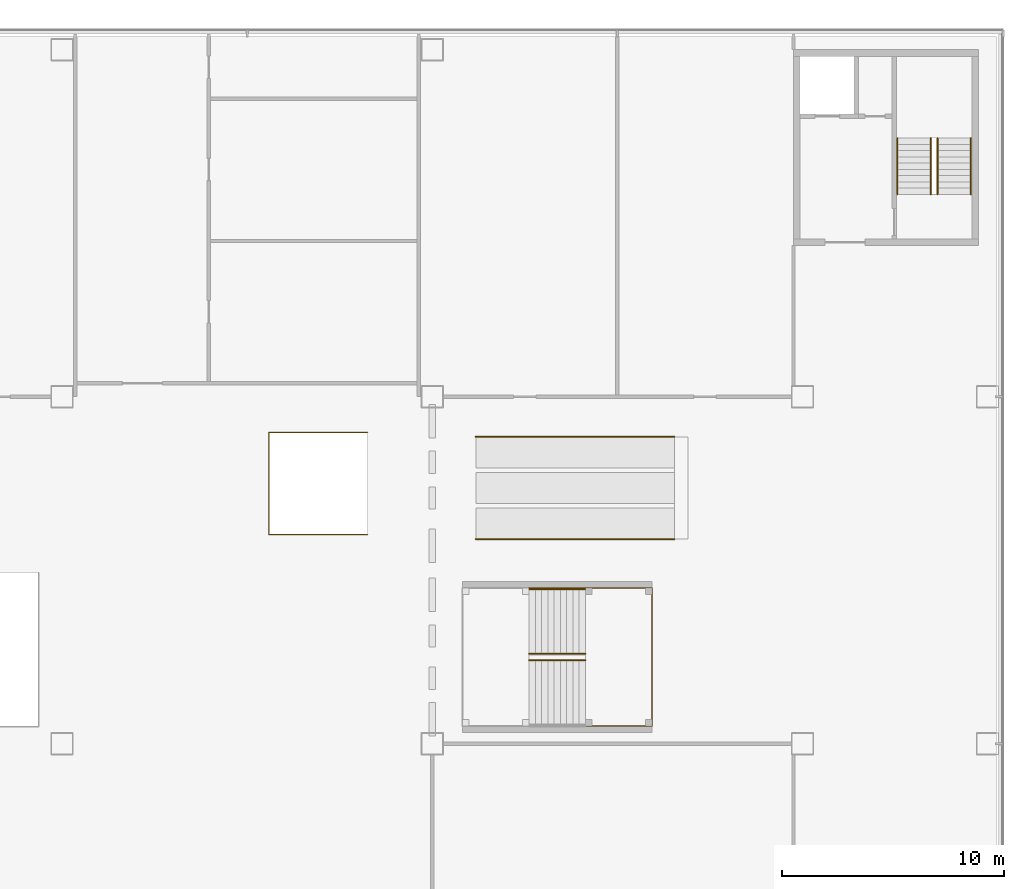
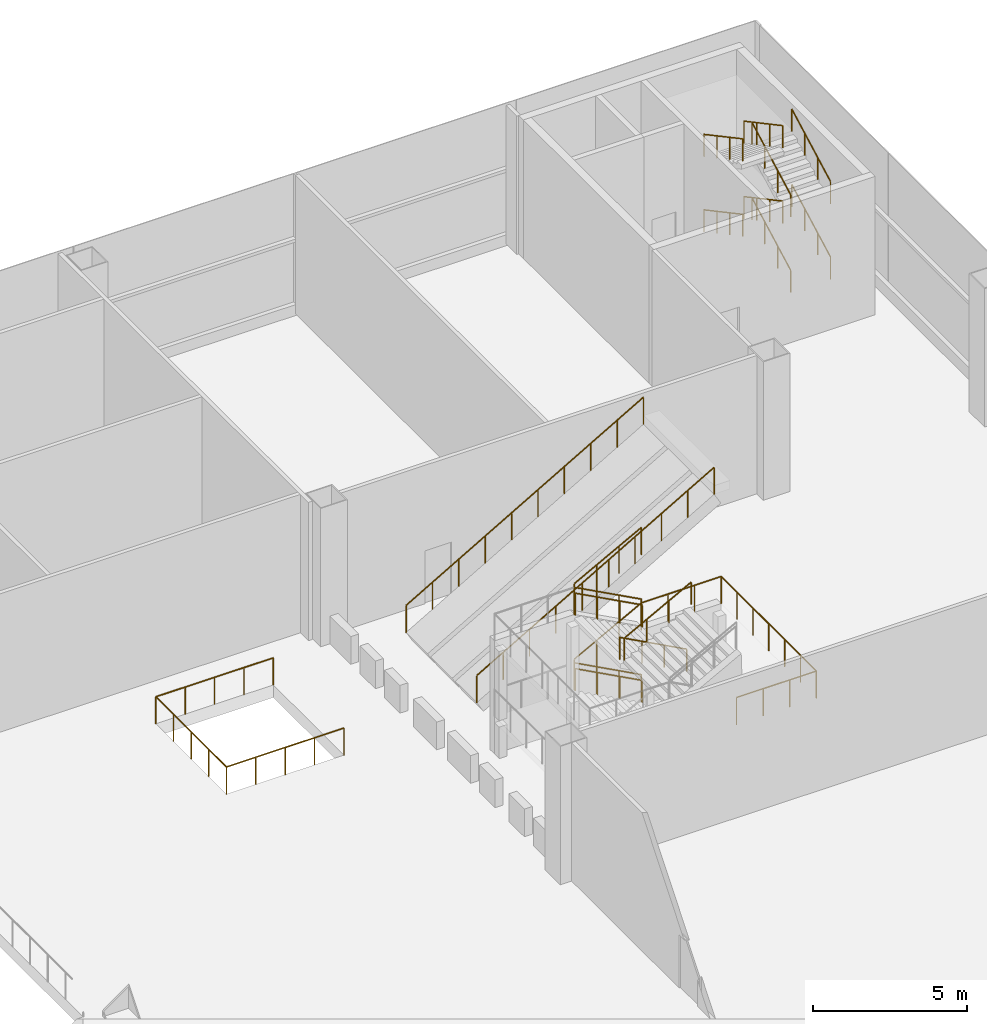
# One storey, part 91 of 100: 20 railings.
"""IFC4 building model written with IfcOpenShell, lengths in metres."""

from ifc_helpers import new_model, si_unit, direction, frame, origin, origin_2d, place, context, subcontext, project, spatial, circle, extrude, material, type_object, element, save


model = new_model("IFC4")

# Units and contexts
model_context = context("Model", 3, precision=1e-05, world=origin(), true_north=direction((0.0, 1.0)))
body_context = subcontext(model_context, "Body", "Model", "MODEL_VIEW")
ifc_project = project(units=[si_unit("LENGTHUNIT", "METRE"), si_unit("AREAUNIT", "SQUARE_METRE"), si_unit("VOLUMEUNIT", "CUBIC_METRE"), si_unit("PLANEANGLEUNIT", "RADIAN"), si_unit("MASSUNIT", "GRAM", prefix="KILO")], contexts=[model_context])

# Site, building, storey
site_placement = place(None, origin())
site = spatial("IfcSite", under=ifc_project, at=site_placement, CompositionType="ELEMENT")
building_placement = place(site_placement, origin())
building = spatial("IfcBuilding", under=site, at=building_placement, Name="Hakoniwa Tower and Hamabe Station Hall", CompositionType="ELEMENT")
storey_placement = place(building_placement, frame((0.0, 0.0, 9.0)))
storey = spatial("IfcBuildingStorey", under=building, at=storey_placement, Name="L02", CompositionType="ELEMENT", Elevation=9.0)

# Railings
ifc_material_1 = material(Name="Stainless steel and glass", Category="steel")
railing_type_1 = type_object("IfcRailingType", Name="GUARD 1100", PredefinedType="GUARDRAIL", material=ifc_material_1)
railing_1_placement = place(storey_placement, frame((151.070068359375, -0.800048828125, 0.14990234375)))
element("IfcRailing", 1, at=railing_1_placement, inside=storey, type_object=railing_type_1, Name="Stair guard PA1 1", PredefinedType="GUARDRAIL", context=body_context, shape_type="SweptSolid", body=[
    extrude(circle(Radius=0.02392578125, at=origin_2d()), frame((0.0, 0.0, 1.076171875), z_axis=(-0.881467274426, 0.0, 0.472245110209), x_axis=(0.0, -1.0, 0.0)), (0.0, 0.0, 1.0), 2.85888671875),
    extrude(circle(Radius=0.02099609375, at=origin_2d()), origin(), (0.0, 0.0, 1.0), 1.052001953125),
    extrude(circle(Radius=0.02099609375, at=origin_2d()), frame((-0.840087890625, 0.0, 0.449951171875)), (0.0, 0.0, 1.0), 1.052001953125),
    extrude(circle(Radius=0.02099609375, at=origin_2d()), frame((-1.679931640625, 0.0, 0.900146484375)), (0.0, 0.0, 1.0), 1.052001953125),
    extrude(circle(Radius=0.02099609375, at=origin_2d()), frame((-2.52001953125, 0.0, 1.35009765625)), (0.0, 0.0, 1.0), 1.052001953125),
])
railing_2_placement = place(storey_placement, frame((148.550048828125, -0.800048828125, 1.64990234375)))
element("IfcRailing", 2, at=railing_2_placement, inside=storey, type_object=railing_type_1, Name="Stair guard PA1 3", PredefinedType="GUARDRAIL", context=body_context, shape_type="SweptSolid", body=[
    extrude(circle(Radius=0.02392578125, at=origin_2d()), frame((0.0, 0.0, 1.076171875), z_axis=(0.881467274426, 0.0, 0.472245110209), x_axis=(0.0, 1.0, 0.0)), (0.0, 0.0, 1.0), 2.85888671875),
    extrude(circle(Radius=0.02099609375, at=origin_2d()), origin(), (0.0, 0.0, 1.0), 1.052001953125),
    extrude(circle(Radius=0.02099609375, at=origin_2d()), frame((0.840087890625, 0.0, 0.449951171875)), (0.0, 0.0, 1.0), 1.052001953125),
    extrude(circle(Radius=0.02099609375, at=origin_2d()), frame((1.679931640625, 0.0, 0.900146484375)), (0.0, 0.0, 1.0), 1.052001953125),
    extrude(circle(Radius=0.02099609375, at=origin_2d()), frame((2.52001953125, 0.0, 1.35009765625)), (0.0, 0.0, 1.0), 1.052001953125),
])
railing_3_placement = place(storey_placement, frame((151.070068359375, -0.800048828125, 3.14990234375)))
element("IfcRailing", 3, at=railing_3_placement, inside=storey, type_object=railing_type_1, Name="Stair guard PA1 5", PredefinedType="GUARDRAIL", context=body_context, shape_type="SweptSolid", body=[
    extrude(circle(Radius=0.02392578125, at=origin_2d()), frame((0.0, 0.0, 1.076171875), z_axis=(-0.881467274426, 0.0, 0.472245110209), x_axis=(0.0, -1.0, 0.0)), (0.0, 0.0, 1.0), 2.85888671875),
    extrude(circle(Radius=0.02099609375, at=origin_2d()), origin(), (0.0, 0.0, 1.0), 1.052001953125),
    extrude(circle(Radius=0.02099609375, at=origin_2d()), frame((-0.840087890625, 0.0, 0.449951171875)), (0.0, 0.0, 1.0), 1.052001953125),
    extrude(circle(Radius=0.02099609375, at=origin_2d()), frame((-1.679931640625, 0.0, 0.900146484375)), (0.0, 0.0, 1.0), 1.052001953125),
    extrude(circle(Radius=0.02099609375, at=origin_2d()), frame((-2.52001953125, 0.0, 1.35009765625)), (0.0, 0.0, 1.0), 1.052001953125),
])
railing_4_placement = place(storey_placement, frame((148.550048828125, -0.800048828125, 4.64990234375)))
element("IfcRailing", 4, at=railing_4_placement, inside=storey, type_object=railing_type_1, Name="Stair guard PA1 7", PredefinedType="GUARDRAIL", context=body_context, shape_type="SweptSolid", body=[
    extrude(circle(Radius=0.02392578125, at=origin_2d()), frame((0.0, 0.0, 1.076171875), z_axis=(0.881467274426, 0.0, 0.472245110209), x_axis=(0.0, 1.0, 0.0)), (0.0, 0.0, 1.0), 2.85888671875),
    extrude(circle(Radius=0.02099609375, at=origin_2d()), origin(), (0.0, 0.0, 1.0), 1.052001953125),
    extrude(circle(Radius=0.02099609375, at=origin_2d()), frame((0.840087890625, 0.0, 0.449951171875)), (0.0, 0.0, 1.0), 1.052001953125),
    extrude(circle(Radius=0.02099609375, at=origin_2d()), frame((1.679931640625, 0.0, 0.900146484375)), (0.0, 0.0, 1.0), 1.052001953125),
    extrude(circle(Radius=0.02099609375, at=origin_2d()), frame((2.52001953125, 0.0, 1.35009765625)), (0.0, 0.0, 1.0), 1.052001953125),
])
railing_5_placement = place(storey_placement, frame((151.070068359375, -0.800048828125, 3.0)))
element("IfcRailing", 5, at=railing_5_placement, inside=storey, type_object=railing_type_1, Name="Landing guard PA1 2", PredefinedType="GUARDRAIL", context=body_context, shape_type="SweptSolid", body=[
    extrude(circle(Radius=0.02392578125, at=origin_2d()), frame((0.0, 0.0, 1.076171875), z_axis=(1.0, 0.0, 0.0), x_axis=(0.0, 1.0, 0.0)), (0.0, 0.0, 1.0), 3.0),
    extrude(circle(Radius=0.02392578125, at=origin_2d()), frame((3.0, 0.0, 1.076171875), z_axis=(0.0, -1.0, 0.0), x_axis=(1.0, 0.0, 0.0)), (0.0, 0.0, 1.0), 6.199951171875),
    extrude(circle(Radius=0.02392578125, at=origin_2d()), frame((3.0, -6.199951171875, 1.076171875), z_axis=(-1.0, 0.0, 0.0), x_axis=(0.0, -1.0, 0.0)), (0.0, 0.0, 1.0), 3.0),
    extrude(circle(Radius=0.02099609375, at=origin_2d()), origin(), (0.0, 0.0, 1.0), 1.052001953125),
    extrude(circle(Radius=0.02099609375, at=origin_2d()), frame((1.0, 0.0, 0.0)), (0.0, 0.0, 1.0), 1.052001953125),
    extrude(circle(Radius=0.02099609375, at=origin_2d()), frame((2.0, 0.0, 0.0)), (0.0, 0.0, 1.0), 1.052001953125),
    extrude(circle(Radius=0.02099609375, at=origin_2d()), frame((3.0, 0.0, 0.0)), (0.0, 0.0, 1.0), 1.052001953125),
    extrude(circle(Radius=0.02099609375, at=origin_2d()), frame((3.0, -1.033203125, 0.0)), (0.0, 0.0, 1.0), 1.052001953125),
    extrude(circle(Radius=0.02099609375, at=origin_2d()), frame((3.0, -2.066650390625, 0.0)), (0.0, 0.0, 1.0), 1.052001953125),
    extrude(circle(Radius=0.02099609375, at=origin_2d()), frame((3.0, -3.10009765625, 0.0)), (0.0, 0.0, 1.0), 1.052001953125),
    extrude(circle(Radius=0.02099609375, at=origin_2d()), frame((3.0, -4.13330078125, 0.0)), (0.0, 0.0, 1.0), 1.052001953125),
    extrude(circle(Radius=0.02099609375, at=origin_2d()), frame((3.0, -5.16650390625, 0.0)), (0.0, 0.0, 1.0), 1.052001953125),
    extrude(circle(Radius=0.02099609375, at=origin_2d()), frame((3.0, -6.199951171875, 0.0)), (0.0, 0.0, 1.0), 1.052001953125),
    extrude(circle(Radius=0.02099609375, at=origin_2d()), frame((2.0, -6.199951171875, 0.0)), (0.0, 0.0, 1.0), 1.052001953125),
    extrude(circle(Radius=0.02099609375, at=origin_2d()), frame((1.0, -6.199951171875, 0.0)), (0.0, 0.0, 1.0), 1.052001953125),
    extrude(circle(Radius=0.02099609375, at=origin_2d()), frame((0.0, -6.199951171875, 0.0)), (0.0, 0.0, 1.0), 1.052001953125),
])
railing_6_placement = place(storey_placement, frame((141.2724609375, 1.60009765625, 0.0)))
element("IfcRailing", 6, at=railing_6_placement, inside=storey, type_object=railing_type_1, Name="Guard escalator opening ESC-A L02", PredefinedType="GUARDRAIL", context=body_context, shape_type="SweptSolid", body=[
    extrude(circle(Radius=0.02392578125, at=origin_2d()), frame((0.0, 0.0, 1.076171875), z_axis=(-1.0, 0.0, 0.0), x_axis=(0.0, -1.0, 0.0)), (0.0, 0.0, 1.0), 4.416748046875),
    extrude(circle(Radius=0.02392578125, at=origin_2d()), frame((-4.416748046875, 0.0, 1.076171875), z_axis=(0.0, 1.0, 0.0), x_axis=(-1.0, 0.0, 0.0)), (0.0, 0.0, 1.0), 4.599853515625),
    extrude(circle(Radius=0.02392578125, at=origin_2d()), frame((-4.416748046875, 4.599853515625, 1.076171875), z_axis=(1.0, 0.0, 0.0), x_axis=(0.0, 1.0, 0.0)), (0.0, 0.0, 1.0), 4.416748046875),
    extrude(circle(Radius=0.02099609375, at=origin_2d()), origin(), (0.0, 0.0, 1.0), 1.052001953125),
    extrude(circle(Radius=0.02099609375, at=origin_2d()), frame((-1.104248046875, 0.0, 0.0)), (0.0, 0.0, 1.0), 1.052001953125),
    extrude(circle(Radius=0.02099609375, at=origin_2d()), frame((-2.20849609375, 0.0, 0.0)), (0.0, 0.0, 1.0), 1.052001953125),
    extrude(circle(Radius=0.02099609375, at=origin_2d()), frame((-3.3125, 0.0, 0.0)), (0.0, 0.0, 1.0), 1.052001953125),
    extrude(circle(Radius=0.02099609375, at=origin_2d()), frame((-4.416748046875, 0.0, 0.0)), (0.0, 0.0, 1.0), 1.052001953125),
    extrude(circle(Radius=0.02099609375, at=origin_2d()), frame((-4.416748046875, 1.14990234375, 0.0)), (0.0, 0.0, 1.0), 1.052001953125),
    extrude(circle(Radius=0.02099609375, at=origin_2d()), frame((-4.416748046875, 2.2998046875, 0.0)), (0.0, 0.0, 1.0), 1.052001953125),
    extrude(circle(Radius=0.02099609375, at=origin_2d()), frame((-4.416748046875, 3.449951171875, 0.0)), (0.0, 0.0, 1.0), 1.052001953125),
    extrude(circle(Radius=0.02099609375, at=origin_2d()), frame((-4.416748046875, 4.599853515625, 0.0)), (0.0, 0.0, 1.0), 1.052001953125),
    extrude(circle(Radius=0.02099609375, at=origin_2d()), frame((-3.3125, 4.599853515625, 0.0)), (0.0, 0.0, 1.0), 1.052001953125),
    extrude(circle(Radius=0.02099609375, at=origin_2d()), frame((-2.20849609375, 4.599853515625, 0.0)), (0.0, 0.0, 1.0), 1.052001953125),
    extrude(circle(Radius=0.02099609375, at=origin_2d()), frame((-1.104248046875, 4.599853515625, 0.0)), (0.0, 0.0, 1.0), 1.052001953125),
    extrude(circle(Radius=0.02099609375, at=origin_2d()), frame((0.0, 4.599853515625, 0.0)), (0.0, 0.0, 1.0), 1.052001953125),
])
for number, where, name in (
    (7, (146.14990234375, 1.39990234375, 0.5), "Balustrade ESC-B w"),
    (8, (146.14990234375, 6.0, 0.5), "Balustrade ESC-B e"),
):
    element("IfcRailing", number, at=place(storey_placement, frame(where)), inside=storey, type_object=railing_type_1, Name=name, PredefinedType="GUARDRAIL", context=body_context, shape_type="SweptSolid", body=[
        extrude(circle(Radius=0.02392578125, at=origin_2d()), frame((0.0, 0.0, 1.076171875), z_axis=(0.866026229868, 0.0, 0.499998569178), x_axis=(0.0, 1.0, 0.0)), (0.0, 0.0, 1.0), 10.30712890625),
        extrude(circle(Radius=0.02099609375, at=origin_2d()), origin(), (0.0, 0.0, 1.0), 1.052001953125),
        extrude(circle(Radius=0.02099609375, at=origin_2d()), frame((0.99169921875, 0.0, 0.572509765625)), (0.0, 0.0, 1.0), 1.052001953125),
        extrude(circle(Radius=0.02099609375, at=origin_2d()), frame((1.983642578125, 0.0, 1.145263671875)), (0.0, 0.0, 1.0), 1.052001953125),
        extrude(circle(Radius=0.02099609375, at=origin_2d()), frame((2.975341796875, 0.0, 1.7177734375)), (0.0, 0.0, 1.0), 1.052001953125),
        extrude(circle(Radius=0.02099609375, at=origin_2d()), frame((3.96728515625, 0.0, 2.29052734375)), (0.0, 0.0, 1.0), 1.052001953125),
        extrude(circle(Radius=0.02099609375, at=origin_2d()), frame((4.958984375, 0.0, 2.863037109375)), (0.0, 0.0, 1.0), 1.052001953125),
        extrude(circle(Radius=0.02099609375, at=origin_2d()), frame((5.950927734375, 0.0, 3.435791015625)), (0.0, 0.0, 1.0), 1.052001953125),
        extrude(circle(Radius=0.02099609375, at=origin_2d()), frame((6.942626953125, 0.0, 4.00830078125)), (0.0, 0.0, 1.0), 1.052001953125),
        extrude(circle(Radius=0.02099609375, at=origin_2d()), frame((7.9345703125, 0.0, 4.5810546875)), (0.0, 0.0, 1.0), 1.052001953125),
        extrude(circle(Radius=0.02099609375, at=origin_2d()), frame((8.92626953125, 0.0, 5.153564453125)), (0.0, 0.0, 1.0), 1.052001953125),
    ])
ifc_material_2 = material(Name="Stainless steel SUS304", Category="steel")
railing_type_2 = type_object("IfcRailingType", Name="HANDRAIL 900", PredefinedType="HANDRAIL", material=ifc_material_2)
for number, where, name in (
    (9, (168.39990234375, 16.89990234375, 0.14990234375), "Handrail SS2 1"),
    (10, (166.89990234375, 16.89990234375, 0.14990234375), "Handrail SS2 2"),
):
    element("IfcRailing", number, at=place(storey_placement, frame(where)), inside=storey, type_object=railing_type_2, Name=name, PredefinedType="HANDRAIL", context=body_context, shape_type="SweptSolid", body=[
        extrude(circle(Radius=0.02392578125, at=origin_2d()), frame((0.0, 0.0, 0.8759765625), z_axis=(0.0, 0.881467274426, 0.472245110209), x_axis=(-1.0, 0.0, 0.0)), (0.0, 0.0, 1.0), 2.85888671875),
        extrude(circle(Radius=0.02099609375, at=origin_2d()), origin(), (0.0, 0.0, 1.0), 0.851806640625),
        extrude(circle(Radius=0.02099609375, at=origin_2d()), frame((0.0, 0.840087890625, 0.449951171875)), (0.0, 0.0, 1.0), 0.851806640625),
        extrude(circle(Radius=0.02099609375, at=origin_2d()), frame((0.0, 1.679931640625, 0.900146484375)), (0.0, 0.0, 1.0), 0.851806640625),
        extrude(circle(Radius=0.02099609375, at=origin_2d()), frame((0.0, 2.52001953125, 1.35009765625)), (0.0, 0.0, 1.0), 0.851806640625),
    ])
for number, where, name in (
    (11, (166.60009765625, 19.419921875, 1.64990234375), "Handrail SS2 3"),
    (12, (165.10009765625, 19.419921875, 1.64990234375), "Handrail SS2 4"),
):
    element("IfcRailing", number, at=place(storey_placement, frame(where)), inside=storey, type_object=railing_type_2, Name=name, PredefinedType="HANDRAIL", context=body_context, shape_type="SweptSolid", body=[
        extrude(circle(Radius=0.02392578125, at=origin_2d()), frame((0.0, 0.0, 0.8759765625), z_axis=(0.0, -0.881467274426, 0.472245110209), x_axis=(1.0, 0.0, 0.0)), (0.0, 0.0, 1.0), 2.85888671875),
        extrude(circle(Radius=0.02099609375, at=origin_2d()), origin(), (0.0, 0.0, 1.0), 0.851806640625),
        extrude(circle(Radius=0.02099609375, at=origin_2d()), frame((0.0, -0.840087890625, 0.449951171875)), (0.0, 0.0, 1.0), 0.851806640625),
        extrude(circle(Radius=0.02099609375, at=origin_2d()), frame((0.0, -1.679931640625, 0.900146484375)), (0.0, 0.0, 1.0), 0.851806640625),
        extrude(circle(Radius=0.02099609375, at=origin_2d()), frame((0.0, -2.52001953125, 1.35009765625)), (0.0, 0.0, 1.0), 0.851806640625),
    ])
for number, where, name in (
    (13, (168.39990234375, 16.89990234375, 3.14990234375), "Handrail SS2 5"),
    (14, (166.89990234375, 16.89990234375, 3.14990234375), "Handrail SS2 6"),
):
    element("IfcRailing", number, at=place(storey_placement, frame(where)), inside=storey, type_object=railing_type_2, Name=name, PredefinedType="HANDRAIL", context=body_context, shape_type="SweptSolid", body=[
        extrude(circle(Radius=0.02392578125, at=origin_2d()), frame((0.0, 0.0, 0.8759765625), z_axis=(0.0, 0.881467274426, 0.472245110209), x_axis=(-1.0, 0.0, 0.0)), (0.0, 0.0, 1.0), 2.85888671875),
        extrude(circle(Radius=0.02099609375, at=origin_2d()), origin(), (0.0, 0.0, 1.0), 0.851806640625),
        extrude(circle(Radius=0.02099609375, at=origin_2d()), frame((0.0, 0.840087890625, 0.449951171875)), (0.0, 0.0, 1.0), 0.851806640625),
        extrude(circle(Radius=0.02099609375, at=origin_2d()), frame((0.0, 1.679931640625, 0.900146484375)), (0.0, 0.0, 1.0), 0.851806640625),
        extrude(circle(Radius=0.02099609375, at=origin_2d()), frame((0.0, 2.52001953125, 1.35009765625)), (0.0, 0.0, 1.0), 0.851806640625),
    ])
for number, where, name in (
    (15, (166.60009765625, 19.419921875, 4.64990234375), "Handrail SS2 7"),
    (16, (165.10009765625, 19.419921875, 4.64990234375), "Handrail SS2 8"),
):
    element("IfcRailing", number, at=place(storey_placement, frame(where)), inside=storey, type_object=railing_type_2, Name=name, PredefinedType="HANDRAIL", context=body_context, shape_type="SweptSolid", body=[
        extrude(circle(Radius=0.02392578125, at=origin_2d()), frame((0.0, 0.0, 0.8759765625), z_axis=(0.0, -0.881467274426, 0.472245110209), x_axis=(1.0, 0.0, 0.0)), (0.0, 0.0, 1.0), 2.85888671875),
        extrude(circle(Radius=0.02099609375, at=origin_2d()), origin(), (0.0, 0.0, 1.0), 0.851806640625),
        extrude(circle(Radius=0.02099609375, at=origin_2d()), frame((0.0, -0.840087890625, 0.449951171875)), (0.0, 0.0, 1.0), 0.851806640625),
        extrude(circle(Radius=0.02099609375, at=origin_2d()), frame((0.0, -1.679931640625, 0.900146484375)), (0.0, 0.0, 1.0), 0.851806640625),
        extrude(circle(Radius=0.02099609375, at=origin_2d()), frame((0.0, -2.52001953125, 1.35009765625)), (0.0, 0.0, 1.0), 0.851806640625),
    ])
for number, where, name in (
    (17, (151.070068359375, -0.85009765625, 0.14990234375), "Handrail PA1 1"),
    (18, (151.070068359375, -0.85009765625, 3.14990234375), "Handrail PA1 5"),
    (19, (151.070068359375, -3.75, 3.14990234375), "Handrail PA1 6"),
):
    element("IfcRailing", number, at=place(storey_placement, frame(where)), inside=storey, type_object=railing_type_2, Name=name, PredefinedType="HANDRAIL", context=body_context, shape_type="SweptSolid", body=[
        extrude(circle(Radius=0.02392578125, at=origin_2d()), frame((0.0, 0.0, 0.8759765625), z_axis=(-0.881467274426, 0.0, 0.472245110209), x_axis=(0.0, -1.0, 0.0)), (0.0, 0.0, 1.0), 2.85888671875),
        extrude(circle(Radius=0.02099609375, at=origin_2d()), origin(), (0.0, 0.0, 1.0), 0.851806640625),
        extrude(circle(Radius=0.02099609375, at=origin_2d()), frame((-0.840087890625, 0.0, 0.449951171875)), (0.0, 0.0, 1.0), 0.851806640625),
        extrude(circle(Radius=0.02099609375, at=origin_2d()), frame((-1.679931640625, 0.0, 0.900146484375)), (0.0, 0.0, 1.0), 0.851806640625),
        extrude(circle(Radius=0.02099609375, at=origin_2d()), frame((-2.52001953125, 0.0, 1.35009765625)), (0.0, 0.0, 1.0), 0.851806640625),
    ])
railing_7_placement = place(storey_placement, frame((148.550048828125, -4.050048828125, 4.64990234375)))
element("IfcRailing", 20, at=railing_7_placement, inside=storey, type_object=railing_type_2, Name="Handrail PA1 7", PredefinedType="HANDRAIL", context=body_context, shape_type="SweptSolid", body=[
    extrude(circle(Radius=0.02392578125, at=origin_2d()), frame((0.0, 0.0, 0.8759765625), z_axis=(0.881467274426, 0.0, 0.472245110209), x_axis=(0.0, 1.0, 0.0)), (0.0, 0.0, 1.0), 2.85888671875),
    extrude(circle(Radius=0.02099609375, at=origin_2d()), origin(), (0.0, 0.0, 1.0), 0.851806640625),
    extrude(circle(Radius=0.02099609375, at=origin_2d()), frame((0.840087890625, 0.0, 0.449951171875)), (0.0, 0.0, 1.0), 0.851806640625),
    extrude(circle(Radius=0.02099609375, at=origin_2d()), frame((1.679931640625, 0.0, 0.900146484375)), (0.0, 0.0, 1.0), 0.851806640625),
    extrude(circle(Radius=0.02099609375, at=origin_2d()), frame((2.52001953125, 0.0, 1.35009765625)), (0.0, 0.0, 1.0), 0.851806640625),
])

save(model, "model.ifc")
